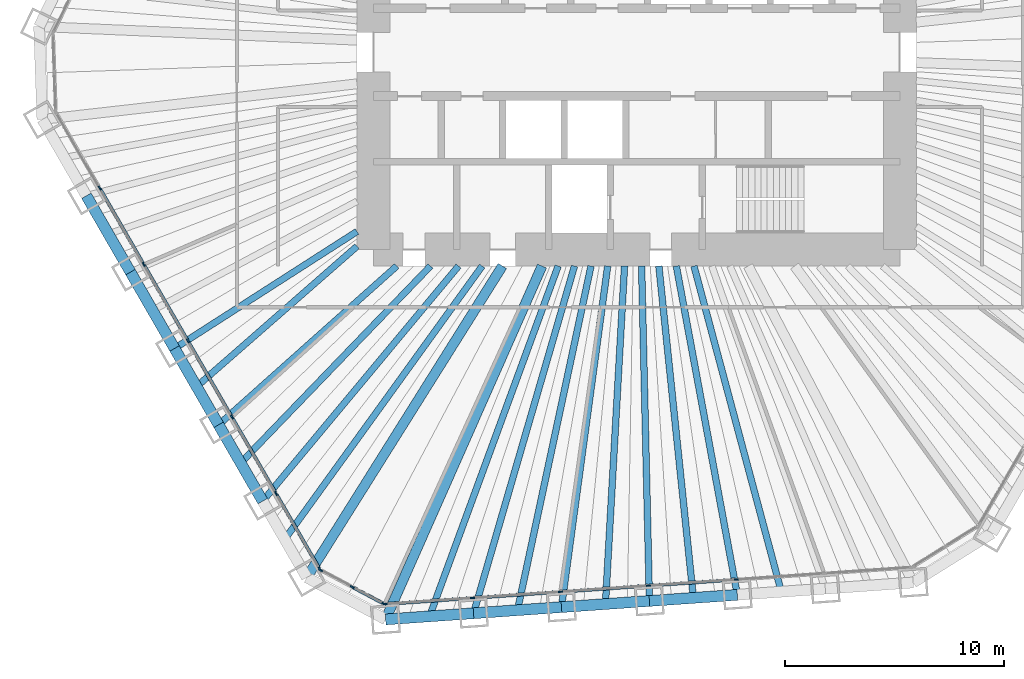
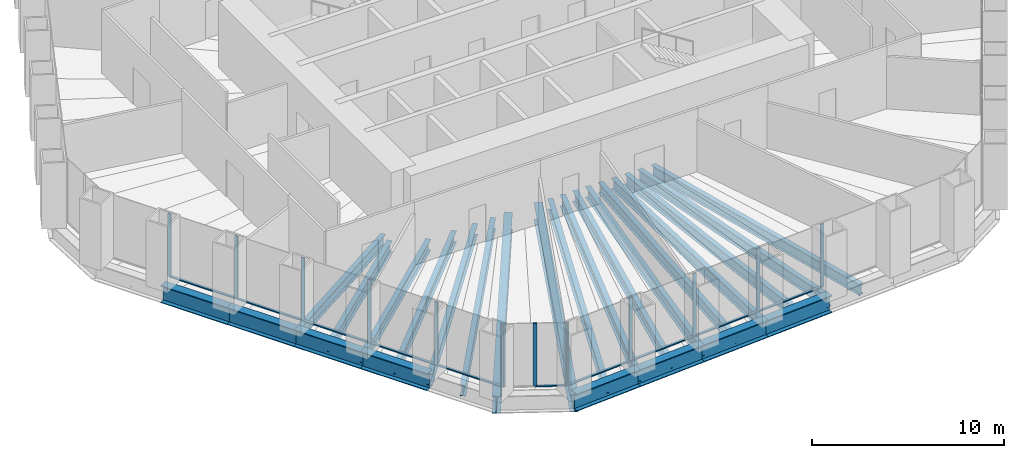
# One storey, part 2 of 13: 25 beams, 24 members, 3 elements without a shape of their own.
"""IFC4 building model written with IfcOpenShell, lengths in metres."""

from ifc_helpers import new_model, si_unit, direction, frame, origin, origin_2d, place, context, subcontext, project, spatial, rectangle, i_section, extrude, material, material_profile, profile_set, type_object, element, aggregate, save


model = new_model("IFC4")

# Units and contexts
model_context = context("Model", 3, precision=1e-05, world=origin(), true_north=direction((0.0, 1.0)))
body_context = subcontext(model_context, "Body", "Model", "MODEL_VIEW")
ifc_project = project(units=[si_unit("LENGTHUNIT", "METRE"), si_unit("AREAUNIT", "SQUARE_METRE"), si_unit("VOLUMEUNIT", "CUBIC_METRE"), si_unit("PLANEANGLEUNIT", "RADIAN"), si_unit("MASSUNIT", "GRAM", prefix="KILO")], contexts=[model_context])

# Site, building, storey
site_placement = place(None, origin())
site = spatial("IfcSite", under=ifc_project, at=site_placement, CompositionType="ELEMENT")
building_placement = place(site_placement, origin())
building = spatial("IfcBuilding", under=site, at=building_placement, Name="Qingtian Harvest Tower", CompositionType="ELEMENT")
storey_placement = place(building_placement, frame((0.0, 0.0, 124.0)))
storey = spatial("IfcBuildingStorey", under=building, at=storey_placement, Name="L25", CompositionType="ELEMENT", Elevation=124.0)

# Beams
ifc_material_1 = material(Name="Steel SM570MC", Category="steel")
ifc_material_profile_1 = material_profile(ifc_material_1, i_section(OverallWidth=0.449951171875, OverallDepth=1.10009765625, WebThickness=0.02197265625, FlangeThickness=0.044921875, at=origin_2d()), Name="H1100x450x22x45")
ifc_profile_set_1 = profile_set([ifc_material_profile_1], Name="Steel SM570MC")
beam_type_1 = type_object("IfcBeamType", Name="Corner floor beam FB8 H1100x450x22x45", PredefinedType="BEAM", material=ifc_profile_set_1)
beam_1_placement = place(storey_placement, frame((-11.445556640625, -25.861328125, -0.719970703125), z_axis=(0.404705702755, 0.914446988161, 0.0), x_axis=(-0.914446988161, 0.404705702755, 0.0)))
element("IfcBeam", 1, at=beam_1_placement, inside=storey, type_object=beam_type_1, Name="Floor beam FB8 S6", PredefinedType="BEAM", context=body_context, shape_type="SweptSolid", body=[
    extrude(i_section(OverallWidth=0.449951171875, OverallDepth=1.10009765625, WebThickness=0.02197265625, FlangeThickness=0.044921875, at=origin_2d()), origin(), (0.0, 0.0, 1.0), 17.61865234375),
])
beam_2_placement = place(storey_placement, frame((-15.039794921875, -23.950439453125, -0.719970703125), z_axis=(0.531797274443, 0.846871689747, 0.0), x_axis=(-0.846871689747, 0.531797274443, 0.0)))
element("IfcBeam", 2, at=beam_2_placement, inside=storey, type_object=beam_type_1, Name="Floor beam FB8 SW0", PredefinedType="BEAM", context=body_context, shape_type="SweptSolid", body=[
    extrude(i_section(OverallWidth=0.449951171875, OverallDepth=1.10009765625, WebThickness=0.02197265625, FlangeThickness=0.044921875, at=origin_2d()), origin(), (0.0, 0.0, 1.0), 16.76806640625),
])
ifc_material_2 = material(Name="Steel SN490B", Category="steel")
ifc_material_profile_2 = material_profile(ifc_material_2, i_section(OverallWidth=0.300048828125, OverallDepth=0.75, WebThickness=0.013916015625, FlangeThickness=0.02490234375, at=origin_2d()), Name="H750x300x14x25")
ifc_profile_set_2 = profile_set([ifc_material_profile_2], Name="Steel SN490B")
beam_type_2 = type_object("IfcBeamType", Name="Floor beam FB12 H750x300x14x25", PredefinedType="BEAM", material=ifc_profile_set_2)
beam_3_placement = place(storey_placement, frame((-7.436279296875, -25.5810546875, -0.544921875), z_axis=(0.279142362954, 0.960249728562, 0.0), x_axis=(-0.960249728562, 0.279142362954, 0.0)))
element("IfcBeam", 3, at=beam_3_placement, inside=storey, type_object=beam_type_2, Name="Floor beam FB12 S5", PredefinedType="BEAM", context=body_context, shape_type="SweptSolid", body=[
    extrude(i_section(OverallWidth=0.300048828125, OverallDepth=0.75, WebThickness=0.013916015625, FlangeThickness=0.02490234375, at=origin_2d()), origin(), (0.0, 0.0, 1.0), 16.486328125),
])
ifc_material_3 = material(Name="Steel SN490B", Category="steel")
ifc_material_profile_3 = material_profile(ifc_material_3, i_section(OverallWidth=0.300048828125, OverallDepth=0.699951171875, WebThickness=0.012939453125, FlangeThickness=0.02392578125, at=origin_2d()), Name="H700x300x13x24")
ifc_profile_set_3 = profile_set([ifc_material_profile_3], Name="Steel SN490B")
beam_type_3 = type_object("IfcBeamType", Name="Floor beam FB2 H700x300x13x24", PredefinedType="BEAM", material=ifc_profile_set_3)
beam_4_placement = place(storey_placement, frame((4.591552734375, -24.739990234375, -0.52001953125), z_axis=(-0.182473442032, 0.983210782565, 0.0), x_axis=(-0.983210782565, -0.182473442032, 0.0)))
element("IfcBeam", 4, at=beam_4_placement, inside=storey, type_object=beam_type_3, Name="Floor beam FB2 S2", PredefinedType="BEAM", context=body_context, shape_type="SweptSolid", body=[
    extrude(i_section(OverallWidth=0.300048828125, OverallDepth=0.699951171875, WebThickness=0.012939453125, FlangeThickness=0.02392578125, at=origin_2d()), origin(), (0.0, 0.0, 1.0), 15.245849609375),
])
beam_5_placement = place(storey_placement, frame((0.582275390625, -25.020263671875, -0.52001953125), z_axis=(-0.023272189962, 0.999729165912, 0.0), x_axis=(-0.999729165912, -0.023272189962, 0.0)))
element("IfcBeam", 5, at=beam_5_placement, inside=storey, type_object=beam_type_3, Name="Floor beam FB2 S3", PredefinedType="BEAM", context=body_context, shape_type="SweptSolid", body=[
    extrude(i_section(OverallWidth=0.300048828125, OverallDepth=0.699951171875, WebThickness=0.012939453125, FlangeThickness=0.02392578125, at=origin_2d()), origin(), (0.0, 0.0, 1.0), 15.2744140625),
])
beam_6_placement = place(storey_placement, frame((-3.427001953125, -25.30078125, -0.52001953125), z_axis=(0.134230066005, 0.990950195207, 0.0), x_axis=(-0.990950195207, 0.134230066005, 0.0)))
element("IfcBeam", 6, at=beam_6_placement, inside=storey, type_object=beam_type_3, Name="Floor beam FB2 S4", PredefinedType="BEAM", context=body_context, shape_type="SweptSolid", body=[
    extrude(i_section(OverallWidth=0.300048828125, OverallDepth=0.699951171875, WebThickness=0.012939453125, FlangeThickness=0.02392578125, at=origin_2d()), origin(), (0.0, 0.0, 1.0), 15.69287109375),
])
beam_7_placement = place(storey_placement, frame((-17.04931640625, -20.4697265625, -0.52001953125), z_axis=(0.639988150605, 0.768384778015, 0.0), x_axis=(-0.768384778015, 0.639988150605, 0.0)))
element("IfcBeam", 7, at=beam_7_placement, inside=storey, type_object=beam_type_3, Name="Floor beam FB2 SW1", PredefinedType="BEAM", context=body_context, shape_type="SweptSolid", body=[
    extrude(i_section(OverallWidth=0.300048828125, OverallDepth=0.699951171875, WebThickness=0.012939453125, FlangeThickness=0.02392578125, at=origin_2d()), origin(), (0.0, 0.0, 1.0), 13.950927734375),
])
beam_8_placement = place(storey_placement, frame((-19.058837890625, -16.989013671875, -0.52001953125), z_axis=(0.746483707908, 0.665403692376, 0.0), x_axis=(-0.665403692376, 0.746483707908, 0.0)))
element("IfcBeam", 8, at=beam_8_placement, inside=storey, type_object=beam_type_3, Name="Floor beam FB2 SW2", PredefinedType="BEAM", context=body_context, shape_type="SweptSolid", body=[
    extrude(i_section(OverallWidth=0.300048828125, OverallDepth=0.699951171875, WebThickness=0.012939453125, FlangeThickness=0.02392578125, at=origin_2d()), origin(), (0.0, 0.0, 1.0), 10.879150390625),
])
beam_9_placement = place(storey_placement, frame((-21.068359375, -13.508544921875, -0.52001953125), z_axis=(0.841823295753, 0.539753220211, 0.0), x_axis=(-0.539753220211, 0.841823295753, 0.0)))
element("IfcBeam", 9, at=beam_9_placement, inside=storey, type_object=beam_type_3, Name="Floor beam FB2 SW3", PredefinedType="BEAM", context=body_context, shape_type="SweptSolid", body=[
    extrude(i_section(OverallWidth=0.300048828125, OverallDepth=0.699951171875, WebThickness=0.012939453125, FlangeThickness=0.02392578125, at=origin_2d()), origin(), (0.0, 0.0, 1.0), 9.88134765625),
])
ifc_material_4 = material(Name="Steel SN490B", Category="steel")
ifc_material_profile_4 = material_profile(ifc_material_4, i_section(OverallWidth=0.300048828125, OverallDepth=0.699951171875, WebThickness=0.012939453125, FlangeThickness=0.02392578125, at=origin_2d()), Name="H700x300x13x24")
ifc_profile_set_4 = profile_set([ifc_material_profile_4], Name="Steel SN490B")
beam_type_4 = type_object("IfcBeamType", Name="Floor joist J2 H700x300x13x24", PredefinedType="JOIST", material=ifc_profile_set_4)
beam_10_placement = place(storey_placement, frame((6.59619140625, -24.599853515625, -0.52001953125), z_axis=(-0.258996688759, 0.965878209306, 0.0), x_axis=(-0.965878209306, -0.258996688759, 0.0)))
element("IfcBeam", 10, at=beam_10_placement, inside=storey, type_object=beam_type_4, Name="Floor joist J2 S1", PredefinedType="JOIST", context=body_context, shape_type="SweptSolid", body=[
    extrude(i_section(OverallWidth=0.300048828125, OverallDepth=0.699951171875, WebThickness=0.012939453125, FlangeThickness=0.02392578125, at=origin_2d()), origin(), (0.0, 0.0, 1.0), 15.37451171875),
])
beam_11_placement = place(storey_placement, frame((2.5869140625, -24.880126953125, -0.52001953125), z_axis=(-0.103423163361, 0.994637446148, 0.0), x_axis=(-0.994637446148, -0.103423163361, 0.0)))
element("IfcBeam", 11, at=beam_11_placement, inside=storey, type_object=beam_type_4, Name="Floor joist J2 S2", PredefinedType="JOIST", context=body_context, shape_type="SweptSolid", body=[
    extrude(i_section(OverallWidth=0.300048828125, OverallDepth=0.699951171875, WebThickness=0.012939453125, FlangeThickness=0.02392578125, at=origin_2d()), origin(), (0.0, 0.0, 1.0), 15.211669921875),
])
beam_12_placement = place(storey_placement, frame((-1.42236328125, -25.160400390625, -0.52001953125), z_axis=(0.05643626267, 0.998406204035, 0.0), x_axis=(-0.998406204035, 0.05643626267, 0.0)))
element("IfcBeam", 12, at=beam_12_placement, inside=storey, type_object=beam_type_4, Name="Floor joist J2 S3", PredefinedType="JOIST", context=body_context, shape_type="SweptSolid", body=[
    extrude(i_section(OverallWidth=0.300048828125, OverallDepth=0.699951171875, WebThickness=0.012939453125, FlangeThickness=0.02392578125, at=origin_2d()), origin(), (0.0, 0.0, 1.0), 15.43505859375),
])
beam_13_placement = place(storey_placement, frame((-5.431640625, -25.44091796875, -0.52001953125), z_axis=(0.208799533611, 0.977958462699, 0.0), x_axis=(-0.977958462699, 0.208799533611, 0.0)))
element("IfcBeam", 13, at=beam_13_placement, inside=storey, type_object=beam_type_4, Name="Floor joist J2 S4", PredefinedType="JOIST", context=body_context, shape_type="SweptSolid", body=[
    extrude(i_section(OverallWidth=0.300048828125, OverallDepth=0.699951171875, WebThickness=0.012939453125, FlangeThickness=0.02392578125, at=origin_2d()), origin(), (0.0, 0.0, 1.0), 16.044677734375),
])
beam_14_placement = place(storey_placement, frame((-9.44091796875, -25.72119140625, -0.52001953125), z_axis=(0.344563279886, 0.938763093732, 0.0), x_axis=(-0.938763093732, 0.344563279886, 0.0)))
element("IfcBeam", 14, at=beam_14_placement, inside=storey, type_object=beam_type_4, Name="Floor joist J2 S5", PredefinedType="JOIST", context=body_context, shape_type="SweptSolid", body=[
    extrude(i_section(OverallWidth=0.300048828125, OverallDepth=0.699951171875, WebThickness=0.012939453125, FlangeThickness=0.02392578125, at=origin_2d()), origin(), (0.0, 0.0, 1.0), 17.012939453125),
])
beam_15_placement = place(storey_placement, frame((-16.04443359375, -22.2099609375, -0.52001953125), z_axis=(0.585581016658, 0.810613886465, 0.0), x_axis=(-0.810613886465, 0.585581016658, 0.0)))
element("IfcBeam", 15, at=beam_15_placement, inside=storey, type_object=beam_type_4, Name="Floor joist J2 SW0", PredefinedType="JOIST", context=body_context, shape_type="SweptSolid", body=[
    extrude(i_section(OverallWidth=0.300048828125, OverallDepth=0.699951171875, WebThickness=0.012939453125, FlangeThickness=0.02392578125, at=origin_2d()), origin(), (0.0, 0.0, 1.0), 15.37109375),
])
beam_16_placement = place(storey_placement, frame((-18.053955078125, -18.7294921875, -0.52001953125), z_axis=(0.693999346894, 0.719975629108, 0.0), x_axis=(-0.719975629108, 0.693999346894, 0.0)))
element("IfcBeam", 16, at=beam_16_placement, inside=storey, type_object=beam_type_4, Name="Floor joist J2 SW1", PredefinedType="JOIST", context=body_context, shape_type="SweptSolid", body=[
    extrude(i_section(OverallWidth=0.300048828125, OverallDepth=0.699951171875, WebThickness=0.012939453125, FlangeThickness=0.02392578125, at=origin_2d()), origin(), (0.0, 0.0, 1.0), 12.471923828125),
])
beam_17_placement = place(storey_placement, frame((-20.063720703125, -15.248779296875, -0.52001953125), z_axis=(0.752618713562, 0.658456583228, 0.0), x_axis=(-0.658456583228, 0.752618713562, 0.0)))
element("IfcBeam", 17, at=beam_17_placement, inside=storey, type_object=beam_type_4, Name="Floor joist J2 SW2", PredefinedType="JOIST", context=body_context, shape_type="SweptSolid", body=[
    extrude(i_section(OverallWidth=0.300048828125, OverallDepth=0.699951171875, WebThickness=0.012939453125, FlangeThickness=0.02392578125, at=origin_2d()), origin(), (0.0, 0.0, 1.0), 9.7177734375),
])

# Curtain wall, members
ifc_material_5 = material(Name="Bronze-anodised aluminium curtain wall", Category="aluminium")
curtain_wall_type = type_object("IfcCurtainWallType", Name="Curtain wall CW4 office", PredefinedType="USERDEFINED", material=ifc_material_5)
curtain_wall_1_placement = place(storey_placement, origin())
curtain_wall_1 = element("IfcCurtainWall", 18, at=curtain_wall_1_placement, inside=storey, type_object=curtain_wall_type, Name="Curtain wall CW4 L25 S0-5", ObjectType="RECESSED CURTAIN WALL", PredefinedType="USERDEFINED")
ifc_material_6 = material(Name="Bronze-anodised aluminium mullion", Category="aluminium")
ifc_material_profile_5 = material_profile(ifc_material_6, rectangle(XDim=0.06494140625, YDim=0.199951171875, at=origin_2d()), Name="AL 65x200")
ifc_profile_set_5 = profile_set([ifc_material_profile_5], Name="Bronze-anodised aluminium mullion")
member_type_1 = type_object("IfcMemberType", Name="Mullion CWM 65x200", PredefinedType="MULLION", material=ifc_profile_set_5)
member_1_placement = place(storey_placement, frame((4.542724609375, -24.041748046875, 0.0), z_axis=(0.0, 0.0, 1.0), x_axis=(0.069756473744, -0.99756405026, 0.0)))
member_1 = element("IfcMember", 19, at=member_1_placement, type_object=member_type_1, Name="CW4 mullion 3", PredefinedType="MULLION", context=body_context, shape_type="SweptSolid", body=[
    extrude(rectangle(XDim=0.06494140625, YDim=0.199951171875, at=origin_2d()), origin(), (0.0, 0.0, 1.0), 4.030029296875),
])
member_2_placement = place(storey_placement, frame((0.533447265625, -24.322021484375, 0.0), z_axis=(0.0, 0.0, 1.0), x_axis=(0.069756473744, -0.99756405026, 0.0)))
member_2 = element("IfcMember", 20, at=member_2_placement, type_object=member_type_1, Name="CW4 mullion 4", PredefinedType="MULLION", context=body_context, shape_type="SweptSolid", body=[
    extrude(rectangle(XDim=0.06494140625, YDim=0.199951171875, at=origin_2d()), origin(), (0.0, 0.0, 1.0), 4.030029296875),
])
member_3_placement = place(storey_placement, frame((-3.475830078125, -24.602294921875, 0.0), z_axis=(0.0, 0.0, 1.0), x_axis=(0.069756473744, -0.99756405026, 0.0)))
member_3 = element("IfcMember", 21, at=member_3_placement, type_object=member_type_1, Name="CW4 mullion 5", PredefinedType="MULLION", context=body_context, shape_type="SweptSolid", body=[
    extrude(rectangle(XDim=0.06494140625, YDim=0.199951171875, at=origin_2d()), origin(), (0.0, 0.0, 1.0), 4.030029296875),
])
member_4_placement = place(storey_placement, frame((-7.485107421875, -24.8828125, 0.0), z_axis=(0.0, 0.0, 1.0), x_axis=(0.069756473744, -0.99756405026, 0.0)))
member_4 = element("IfcMember", 22, at=member_4_placement, type_object=member_type_1, Name="CW4 mullion 6", PredefinedType="MULLION", context=body_context, shape_type="SweptSolid", body=[
    extrude(rectangle(XDim=0.06494140625, YDim=0.199951171875, at=origin_2d()), origin(), (0.0, 0.0, 1.0), 4.030029296875),
])
member_5_placement = place(storey_placement, frame((-11.4619140625, -25.160888671875, 0.0), z_axis=(0.0, 0.0, 1.0), x_axis=(0.069756473744, -0.99756405026, 0.0)))
member_5 = element("IfcMember", 23, at=member_5_placement, type_object=member_type_1, Name="CW4 mullion 7", PredefinedType="MULLION", context=body_context, shape_type="SweptSolid", body=[
    extrude(rectangle(XDim=0.06494140625, YDim=0.199951171875, at=origin_2d()), origin(), (0.0, 0.0, 1.0), 4.030029296875),
])

curtain_wall_2_placement = place(storey_placement, origin())
curtain_wall_2 = element("IfcCurtainWall", 24, at=curtain_wall_2_placement, inside=storey, type_object=curtain_wall_type, Name="Curtain wall CW4 L25 SC", ObjectType="RECESSED CURTAIN WALL", PredefinedType="USERDEFINED")
member_6_placement = place(storey_placement, frame((-11.523193359375, -25.14794921875, 0.0), z_axis=(0.0, 0.0, 1.0), x_axis=(-0.469471562786, -0.882947592859, 0.0)))
member_6 = element("IfcMember", 25, at=member_6_placement, type_object=member_type_1, Name="CW4 mullion 1", PredefinedType="MULLION", context=body_context, shape_type="SweptSolid", body=[
    extrude(rectangle(XDim=0.06494140625, YDim=0.199951171875, at=origin_2d()), origin(), (0.0, 0.0, 1.0), 4.030029296875),
])
member_7_placement = place(storey_placement, frame((-12.964111328125, -24.3818359375, 0.0), z_axis=(0.0, 0.0, 1.0), x_axis=(-0.469471562786, -0.882947592859, 0.0)))
member_7 = element("IfcMember", 26, at=member_7_placement, type_object=member_type_1, Name="CW4 mullion 2", PredefinedType="MULLION", context=body_context, shape_type="SweptSolid", body=[
    extrude(rectangle(XDim=0.06494140625, YDim=0.199951171875, at=origin_2d()), origin(), (0.0, 0.0, 1.0), 4.030029296875),
])
member_8_placement = place(storey_placement, frame((-14.40478515625, -23.61572265625, 0.0), z_axis=(0.0, 0.0, 1.0), x_axis=(-0.469471562786, -0.882947592859, 0.0)))
member_8 = element("IfcMember", 27, at=member_8_placement, type_object=member_type_1, Name="CW4 mullion 3", PredefinedType="MULLION", context=body_context, shape_type="SweptSolid", body=[
    extrude(rectangle(XDim=0.06494140625, YDim=0.199951171875, at=origin_2d()), origin(), (0.0, 0.0, 1.0), 4.030029296875),
])

curtain_wall_3_placement = place(storey_placement, origin())
curtain_wall_3 = element("IfcCurtainWall", 28, at=curtain_wall_3_placement, inside=storey, type_object=curtain_wall_type, Name="Curtain wall CW4 L25 SW0-5", ObjectType="RECESSED CURTAIN WALL", PredefinedType="USERDEFINED")
member_9_placement = place(storey_placement, frame((-14.44970703125, -23.572265625, 0.0), z_axis=(0.0, 0.0, 1.0), x_axis=(-0.866025403784, -0.5, 0.0)))
member_9 = element("IfcMember", 29, at=member_9_placement, type_object=member_type_1, Name="CW4 mullion 1", PredefinedType="MULLION", context=body_context, shape_type="SweptSolid", body=[
    extrude(rectangle(XDim=0.06494140625, YDim=0.199951171875, at=origin_2d()), origin(), (0.0, 0.0, 1.0), 4.030029296875),
])
member_10_placement = place(storey_placement, frame((-16.443115234375, -20.11962890625, 0.0), z_axis=(0.0, 0.0, 1.0), x_axis=(-0.866025403784, -0.5, 0.0)))
member_10 = element("IfcMember", 30, at=member_10_placement, type_object=member_type_1, Name="CW4 mullion 2", PredefinedType="MULLION", context=body_context, shape_type="SweptSolid", body=[
    extrude(rectangle(XDim=0.06494140625, YDim=0.199951171875, at=origin_2d()), origin(), (0.0, 0.0, 1.0), 4.030029296875),
])
member_11_placement = place(storey_placement, frame((-18.45263671875, -16.63916015625, 0.0), z_axis=(0.0, 0.0, 1.0), x_axis=(-0.866025403784, -0.5, 0.0)))
member_11 = element("IfcMember", 31, at=member_11_placement, type_object=member_type_1, Name="CW4 mullion 3", PredefinedType="MULLION", context=body_context, shape_type="SweptSolid", body=[
    extrude(rectangle(XDim=0.06494140625, YDim=0.199951171875, at=origin_2d()), origin(), (0.0, 0.0, 1.0), 4.030029296875),
])
member_12_placement = place(storey_placement, frame((-20.462158203125, -13.158447265625, 0.0), z_axis=(0.0, 0.0, 1.0), x_axis=(-0.866025403784, -0.5, 0.0)))
member_12 = element("IfcMember", 32, at=member_12_placement, type_object=member_type_1, Name="CW4 mullion 4", PredefinedType="MULLION", context=body_context, shape_type="SweptSolid", body=[
    extrude(rectangle(XDim=0.06494140625, YDim=0.199951171875, at=origin_2d()), origin(), (0.0, 0.0, 1.0), 4.030029296875),
])
member_13_placement = place(storey_placement, frame((-22.4716796875, -9.677978515625, 0.0), z_axis=(0.0, 0.0, 1.0), x_axis=(-0.866025403784, -0.5, 0.0)))
member_13 = element("IfcMember", 33, at=member_13_placement, type_object=member_type_1, Name="CW4 mullion 5", PredefinedType="MULLION", context=body_context, shape_type="SweptSolid", body=[
    extrude(rectangle(XDim=0.06494140625, YDim=0.199951171875, at=origin_2d()), origin(), (0.0, 0.0, 1.0), 4.030029296875),
])
member_14_placement = place(storey_placement, frame((-24.481201171875, -6.197265625, 0.0), z_axis=(0.0, 0.0, 1.0), x_axis=(-0.866025403784, -0.5, 0.0)))
member_14 = element("IfcMember", 34, at=member_14_placement, type_object=member_type_1, Name="CW4 mullion 6", PredefinedType="MULLION", context=body_context, shape_type="SweptSolid", body=[
    extrude(rectangle(XDim=0.06494140625, YDim=0.199951171875, at=origin_2d()), origin(), (0.0, 0.0, 1.0), 4.030029296875),
])

# Beams
ifc_material_7 = material(Name="Steel SM570MC", Category="steel")
ifc_material_profile_6 = material_profile(ifc_material_7, i_section(OverallWidth=0.5, OverallDepth=1.10009765625, WebThickness=0.02490234375, FlangeThickness=0.050048828125, at=origin_2d()), Name="H1100x500x25x50")
ifc_profile_set_6 = profile_set([ifc_material_profile_6], Name="Steel SM570MC")
beam_type_5 = type_object("IfcBeamType", Name="Spandrel beam SB2 H1100x500x25x50", PredefinedType="SPANDREL", material=ifc_profile_set_6)
for number, where, z_axis, x_axis, name in (
    (35, (4.591552734375, -24.739990234375, -0.550048828125), (-0.997565479251, -0.069736035208, 0.0), (0.069736035208, -0.997565479251, 0.0), "Spandrel SB2 S2"),
    (36, (0.582275390625, -25.020263671875, -0.550048828125), (-0.997561251588, -0.069796485086, 0.0), (0.069796485086, -0.997561251588, 0.0), "Spandrel SB2 S3"),
    (37, (-3.427001953125, -25.30078125, -0.550048828125), (-0.997565479251, -0.069736035208, 0.0), (0.069736035208, -0.997565479251, 0.0), "Spandrel SB2 S4"),
    (38, (-7.436279296875, -25.5810546875, -0.550048828125), (-0.997565479251, -0.069736035208, 0.0), (0.069736035208, -0.997565479251, 0.0), "Spandrel SB2 S5"),
    (39, (-17.04931640625, -20.4697265625, -0.550048828125), (-0.499987116613, 0.866032841884, 0.0), (-0.866032841884, -0.499987116613, 0.0), "Spandrel SB2 SW1"),
    (40, (-19.058837890625, -16.989013671875, -0.550048828125), (-0.500013420409, 0.866017655369, 0.0), (-0.866017655369, -0.500013420409, 0.0), "Spandrel SB2 SW2"),
    (41, (-21.068359375, -13.508544921875, -0.550048828125), (-0.499987116613, 0.866032841884, 0.0), (-0.866032841884, -0.499987116613, 0.0), "Spandrel SB2 SW3"),
    (42, (-23.077880859375, -10.02783203125, -0.550048828125), (-0.499987116613, 0.866032841884, 0.0), (-0.866032841884, -0.499987116613, 0.0), "Spandrel SB2 SW4"),
):
    element("IfcBeam", number, at=place(storey_placement, frame(where, z_axis=z_axis, x_axis=x_axis)), inside=storey, type_object=beam_type_5, Name=name, PredefinedType="SPANDREL", context=body_context, shape_type="SweptSolid", body=[
        extrude(i_section(OverallWidth=0.5, OverallDepth=1.10009765625, WebThickness=0.02490234375, FlangeThickness=0.050048828125, at=origin_2d()), origin(), (0.0, 0.0, 1.0), 4.01904296875),
    ])

# Member
ifc_material_8 = material(Name="Bronze-anodised aluminium transom", Category="aluminium")
ifc_material_profile_7 = material_profile(ifc_material_8, rectangle(XDim=0.14990234375, YDim=0.06494140625, at=origin_2d()), Name="AL 65x150")
ifc_profile_set_7 = profile_set([ifc_material_profile_7], Name="Bronze-anodised aluminium transom")
member_type_2 = type_object("IfcMemberType", Name="Transom CWT 65x150", PredefinedType="USERDEFINED", material=ifc_profile_set_7)
member_15_placement = place(storey_placement, frame((4.51025390625, -24.0439453125, 0.032470703125), z_axis=(-0.997562922571, -0.069772598571, 0.0), x_axis=(0.069772598571, -0.997562922571, 0.0)))
member_15 = element("IfcMember", 43, at=member_15_placement, type_object=member_type_2, Name="CW4 transom 3.1", ObjectType="TRANSOM", PredefinedType="USERDEFINED", context=body_context, shape_type="SweptSolid", body=[
    extrude(rectangle(XDim=0.14990234375, YDim=0.06494140625, at=origin_2d()), origin(), (0.0, 0.0, 1.0), 3.953857421875),
])

member_16_placement = place(storey_placement, frame((0.5009765625, -24.32421875, 0.032470703125), z_axis=(-0.997562922571, -0.069772598571, 0.0), x_axis=(0.069772598571, -0.997562922571, 0.0)))
member_16 = element("IfcMember", 44, at=member_16_placement, type_object=member_type_2, Name="CW4 transom 4.1", ObjectType="TRANSOM", PredefinedType="USERDEFINED", context=body_context, shape_type="SweptSolid", body=[
    extrude(rectangle(XDim=0.14990234375, YDim=0.06494140625, at=origin_2d()), origin(), (0.0, 0.0, 1.0), 3.953857421875),
])

member_17_placement = place(storey_placement, frame((-3.50830078125, -24.604736328125, 0.032470703125), z_axis=(-0.997567218353, -0.069711153102, 0.0), x_axis=(0.069711153102, -0.997567218353, 0.0)))
member_17 = element("IfcMember", 45, at=member_17_placement, type_object=member_type_2, Name="CW4 transom 5.1", ObjectType="TRANSOM", PredefinedType="USERDEFINED", context=body_context, shape_type="SweptSolid", body=[
    extrude(rectangle(XDim=0.14990234375, YDim=0.06494140625, at=origin_2d()), origin(), (0.0, 0.0, 1.0), 3.953857421875),
])

member_18_placement = place(storey_placement, frame((-7.517578125, -24.885009765625, 0.032470703125), z_axis=(-0.997561915105, -0.069787001175, 0.0), x_axis=(0.069787001175, -0.997561915105, 0.0)))
member_18 = element("IfcMember", 46, at=member_18_placement, type_object=member_type_2, Name="CW4 transom 6.1", ObjectType="TRANSOM", PredefinedType="USERDEFINED", context=body_context, shape_type="SweptSolid", body=[
    extrude(rectangle(XDim=0.14990234375, YDim=0.06494140625, at=origin_2d()), origin(), (0.0, 0.0, 1.0), 3.921630859375),
])

aggregate(curtain_wall_1, [member_1, member_2, member_3, member_4, member_5, member_15, member_16, member_17, member_18])

member_19_placement = place(storey_placement, frame((-11.5517578125, -25.132568359375, 0.032470703125), z_axis=(-0.882960338349, 0.46944759122, 0.0), x_axis=(-0.46944759122, -0.882960338349, 0.0)))
member_19 = element("IfcMember", 47, at=member_19_placement, type_object=member_type_2, Name="CW4 transom 1.1", ObjectType="TRANSOM", PredefinedType="USERDEFINED", context=body_context, shape_type="SweptSolid", body=[
    extrude(rectangle(XDim=0.14990234375, YDim=0.06494140625, at=origin_2d()), origin(), (0.0, 0.0, 1.0), 1.56689453125),
])

aggregate(curtain_wall_2, [member_6, member_7, member_8, member_19])

member_20_placement = place(storey_placement, frame((-14.466064453125, -23.5439453125, 0.032470703125), z_axis=(-0.500002696854, 0.866023846749, 0.0), x_axis=(-0.866023846749, -0.500002696854, 0.0)))
member_20 = element("IfcMember", 48, at=member_20_placement, type_object=member_type_2, Name="CW4 transom 1.1", ObjectType="TRANSOM", PredefinedType="USERDEFINED", context=body_context, shape_type="SweptSolid", body=[
    extrude(rectangle(XDim=0.14990234375, YDim=0.06494140625, at=origin_2d()), origin(), (0.0, 0.0, 1.0), 3.92138671875),
])

member_21_placement = place(storey_placement, frame((-16.459228515625, -20.091552734375, 0.032470703125), z_axis=(-0.500003941941, 0.866023127892, 0.0), x_axis=(-0.866023127892, -0.500003941941, 0.0)))
member_21 = element("IfcMember", 49, at=member_21_placement, type_object=member_type_2, Name="CW4 transom 2.1", ObjectType="TRANSOM", PredefinedType="USERDEFINED", context=body_context, shape_type="SweptSolid", body=[
    extrude(rectangle(XDim=0.14990234375, YDim=0.06494140625, at=origin_2d()), origin(), (0.0, 0.0, 1.0), 3.9541015625),
])

member_22_placement = place(storey_placement, frame((-18.468994140625, -16.611083984375, 0.032470703125), z_axis=(-0.49993089783, 0.866065296265, 0.0), x_axis=(-0.866065296265, -0.49993089783, 0.0)))
member_22 = element("IfcMember", 50, at=member_22_placement, type_object=member_type_2, Name="CW4 transom 3.1", ObjectType="TRANSOM", PredefinedType="USERDEFINED", context=body_context, shape_type="SweptSolid", body=[
    extrude(rectangle(XDim=0.14990234375, YDim=0.06494140625, at=origin_2d()), origin(), (0.0, 0.0, 1.0), 3.9541015625),
])

member_23_placement = place(storey_placement, frame((-20.478515625, -13.13037109375, 0.032470703125), z_axis=(-0.500003941941, 0.866023127892, 0.0), x_axis=(-0.866023127892, -0.500003941941, 0.0)))
member_23 = element("IfcMember", 51, at=member_23_placement, type_object=member_type_2, Name="CW4 transom 4.1", ObjectType="TRANSOM", PredefinedType="USERDEFINED", context=body_context, shape_type="SweptSolid", body=[
    extrude(rectangle(XDim=0.14990234375, YDim=0.06494140625, at=origin_2d()), origin(), (0.0, 0.0, 1.0), 3.9541015625),
])

member_24_placement = place(storey_placement, frame((-22.488037109375, -9.649658203125, 0.032470703125), z_axis=(-0.500003941941, 0.866023127892, 0.0), x_axis=(-0.866023127892, -0.500003941941, 0.0)))
member_24 = element("IfcMember", 52, at=member_24_placement, type_object=member_type_2, Name="CW4 transom 5.1", ObjectType="TRANSOM", PredefinedType="USERDEFINED", context=body_context, shape_type="SweptSolid", body=[
    extrude(rectangle(XDim=0.14990234375, YDim=0.06494140625, at=origin_2d()), origin(), (0.0, 0.0, 1.0), 3.9541015625),
])

aggregate(curtain_wall_3, [member_9, member_10, member_11, member_12, member_13, member_14, member_20, member_21, member_22, member_23, member_24])

save(model, "model.ifc")
